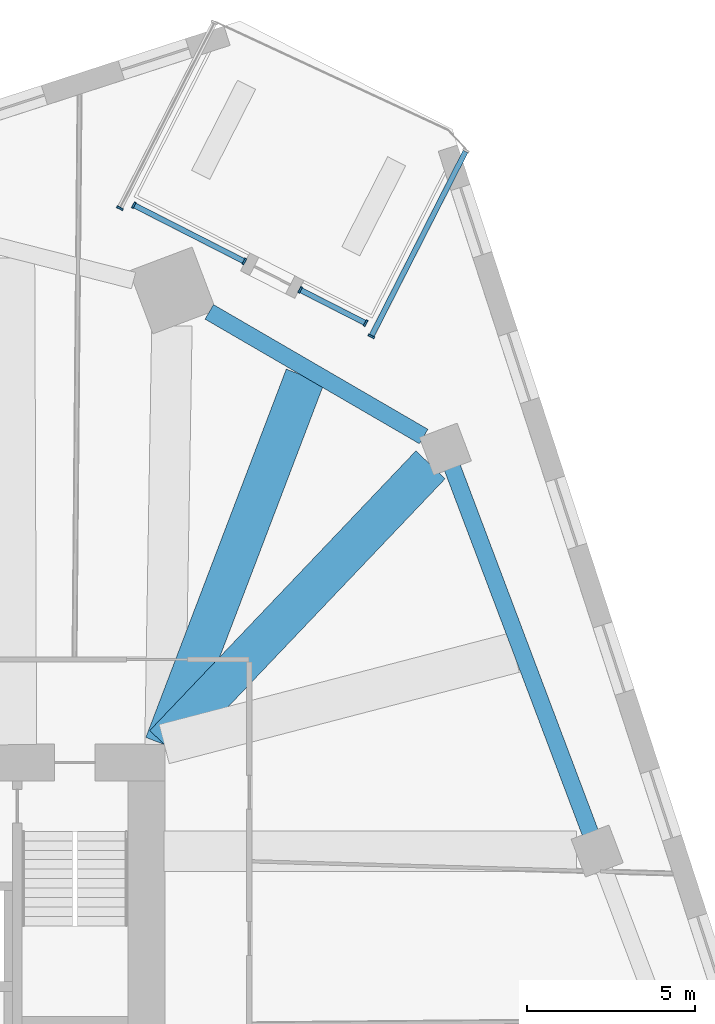
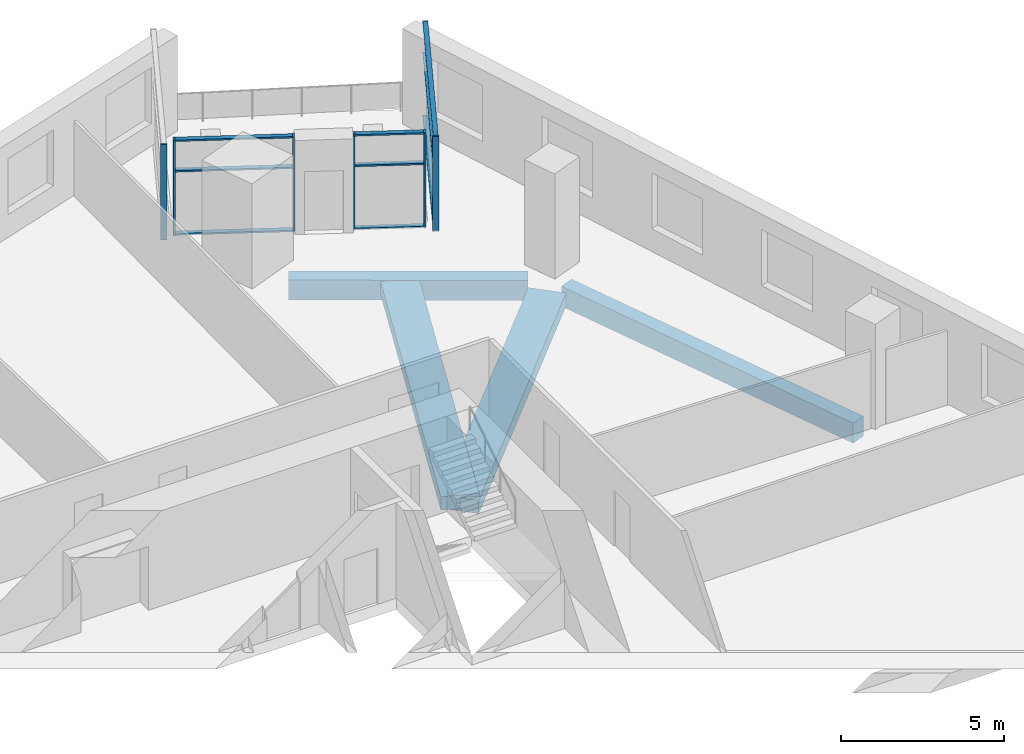
# One storey, part 2 of 12: 15 members, 4 beams, 4 elements without a shape of their own.
"""IFC4 building model written with IfcOpenShell, lengths in metres."""

from ifc_helpers import new_model, si_unit, direction, frame, origin, origin_2d, place, context, subcontext, project, spatial, rectangle, extrude, material, material_profile, profile_set, type_object, element, aggregate, save


model = new_model("IFC4")

# Units and contexts
model_context = context("Model", 3, precision=1e-05, world=origin(), true_north=direction((0.0, 1.0)))
body_context = subcontext(model_context, "Body", "Model", "MODEL_VIEW")
ifc_project = project(units=[si_unit("LENGTHUNIT", "METRE"), si_unit("AREAUNIT", "SQUARE_METRE"), si_unit("VOLUMEUNIT", "CUBIC_METRE"), si_unit("PLANEANGLEUNIT", "RADIAN"), si_unit("MASSUNIT", "GRAM", prefix="KILO")], contexts=[model_context])

# Site, building, storey
site_placement = place(None, origin())
site = spatial("IfcSite", under=ifc_project, at=site_placement, CompositionType="ELEMENT")
building_placement = place(site_placement, origin())
building = spatial("IfcBuilding", under=site, at=building_placement, Name="Dilmun Exchange Tower", CompositionType="ELEMENT")
storey_placement = place(building_placement, frame((0.0, 0.0, 90.10009765625)))
storey = spatial("IfcBuildingStorey", under=building, at=storey_placement, Name="L20", CompositionType="ELEMENT", Elevation=90.10009765625)

# Curtain wall, member
ifc_material_1 = material(Name="Anodised aluminium and clear glass", Category="aluminium")
curtain_wall_type = type_object("IfcCurtainWallType", Name="Garden corner glazing", PredefinedType="NOTDEFINED", material=ifc_material_1)
curtain_wall_1_placement = place(storey_placement, origin())
curtain_wall_1 = element("IfcCurtainWall", 1, at=curtain_wall_1_placement, inside=storey, type_object=curtain_wall_type, Name="Garden corner glazing run GC1.1", PredefinedType="NOTDEFINED")
ifc_material_2 = material(Name="Anodised aluminium", Category="aluminium")
ifc_material_profile_1 = material_profile(ifc_material_2, rectangle(XDim=0.199951171875, YDim=0.06005859375, at=origin_2d()), Name="AL 60x200")
ifc_profile_set_1 = profile_set([ifc_material_profile_1], Name="Anodised aluminium")
member_type_1 = type_object("IfcMemberType", Name="Garden corner glazing mullion 60 x 200", PredefinedType="MULLION", material=ifc_profile_set_1)
member_1_placement = place(storey_placement, frame((19.02392578125, 24.994140625, 0.0), z_axis=(0.0, 0.0, 1.0), x_axis=(0.891007485315, -0.453988613418, 0.0)))
member_1 = element("IfcMember", 2, at=member_1_placement, type_object=member_type_1, Name="GC1.1 mullion 2", PredefinedType="MULLION", context=body_context, shape_type="SweptSolid", body=[
    extrude(rectangle(XDim=0.199951171875, YDim=0.06005859375, at=origin_2d()), origin(), (0.0, 0.0, 1.0), 3.579833984375),
])

# Curtain wall, members
curtain_wall_2_placement = place(storey_placement, origin())
curtain_wall_2 = element("IfcCurtainWall", 3, at=curtain_wall_2_placement, inside=storey, type_object=curtain_wall_type, Name="Garden corner glazing run GC2.1", PredefinedType="NOTDEFINED")
member_2_placement = place(storey_placement, frame((18.8525390625, 25.384521484375, 0.0), z_axis=(0.0, 0.0, 1.0), x_axis=(-0.453971274184, -0.891016319837, 0.0)))
member_2 = element("IfcMember", 4, at=member_2_placement, type_object=member_type_1, Name="GC2.1 mullion 1", PredefinedType="MULLION", context=body_context, shape_type="SweptSolid", body=[
    extrude(rectangle(XDim=0.199951171875, YDim=0.06005859375, at=origin_2d()), origin(), (0.0, 0.0, 1.0), 3.579833984375),
])
member_3_placement = place(storey_placement, frame((16.910888671875, 26.373779296875, 0.0), z_axis=(0.0, 0.0, 1.0), x_axis=(-0.453971274184, -0.891016319837, 0.0)))
member_3 = element("IfcMember", 5, at=member_3_placement, type_object=member_type_1, Name="GC2.1 mullion 2", PredefinedType="MULLION", context=body_context, shape_type="SweptSolid", body=[
    extrude(rectangle(XDim=0.199951171875, YDim=0.06005859375, at=origin_2d()), origin(), (0.0, 0.0, 1.0), 3.579833984375),
])

curtain_wall_3_placement = place(storey_placement, origin())
curtain_wall_3 = element("IfcCurtainWall", 6, at=curtain_wall_3_placement, inside=storey, type_object=curtain_wall_type, Name="Garden corner glazing run GC2.3", PredefinedType="NOTDEFINED")
member_4_placement = place(storey_placement, frame((15.253662109375, 27.21826171875, 0.0), z_axis=(0.0, 0.0, 1.0), x_axis=(-0.453993889512, -0.891004797005, 0.0)))
member_4 = element("IfcMember", 7, at=member_4_placement, type_object=member_type_1, Name="GC2.3 mullion 1", PredefinedType="MULLION", context=body_context, shape_type="SweptSolid", body=[
    extrude(rectangle(XDim=0.199951171875, YDim=0.06005859375, at=origin_2d()), origin(), (0.0, 0.0, 1.0), 3.579833984375),
])
member_5_placement = place(storey_placement, frame((11.9755859375, 28.888671875, 0.0), z_axis=(0.0, 0.0, 1.0), x_axis=(-0.453993889512, -0.891004797005, 0.0)))
member_5 = element("IfcMember", 8, at=member_5_placement, type_object=member_type_1, Name="GC2.3 mullion 2", PredefinedType="MULLION", context=body_context, shape_type="SweptSolid", body=[
    extrude(rectangle(XDim=0.199951171875, YDim=0.06005859375, at=origin_2d()), origin(), (0.0, 0.0, 1.0), 3.579833984375),
])

# Curtain wall, member
curtain_wall_4_placement = place(storey_placement, origin())
curtain_wall_4 = element("IfcCurtainWall", 9, at=curtain_wall_4_placement, inside=storey, type_object=curtain_wall_type, Name="Garden corner glazing run GC3.1", PredefinedType="NOTDEFINED")
member_6_placement = place(storey_placement, frame((11.558837890625, 28.7978515625, 0.0), z_axis=(0.0, 0.0, 1.0), x_axis=(-0.891007485315, 0.453988613418, 0.0)))
member_6 = element("IfcMember", 10, at=member_6_placement, type_object=member_type_1, Name="GC3.1 mullion 1", PredefinedType="MULLION", context=body_context, shape_type="SweptSolid", body=[
    extrude(rectangle(XDim=0.199951171875, YDim=0.06005859375, at=origin_2d()), origin(), (0.0, 0.0, 1.0), 3.579833984375),
])
aggregate(curtain_wall_4, [member_6])

# Member
ifc_material_profile_2 = material_profile(ifc_material_2, rectangle(XDim=0.159912109375, YDim=0.06005859375, at=origin_2d()), Name="AL 60x160")
ifc_profile_set_2 = profile_set([ifc_material_profile_2], Name="Anodised aluminium")
member_type_2 = type_object("IfcMemberType", Name="Garden corner glazing transom 60 x 160", PredefinedType="USERDEFINED", material=ifc_profile_set_2)
member_7_placement = place(storey_placement, frame((21.81884765625, 30.479736328125, 0.02978515625), z_axis=(-0.453975328977, -0.891014253915, 0.0), x_axis=(0.891014253915, -0.453975328977, 0.0)))
member_7 = element("IfcMember", 11, at=member_7_placement, type_object=member_type_2, Name="GC1.1 transom 1.1", ObjectType="TRANSOM", PredefinedType="USERDEFINED", context=body_context, shape_type="SweptSolid", body=[
    extrude(rectangle(XDim=0.159912109375, YDim=0.06005859375, at=origin_2d()), origin(), (0.0, 0.0, 1.0), 6.12646484375),
])

member_8_placement = place(storey_placement, frame((21.81884765625, 30.479736328125, 2.39990234375), z_axis=(-0.453975328977, -0.891014253915, 0.0), x_axis=(0.891014253915, -0.453975328977, 0.0)))
member_8 = element("IfcMember", 12, at=member_8_placement, type_object=member_type_2, Name="GC1.1 transom 1.2", ObjectType="TRANSOM", PredefinedType="USERDEFINED", context=body_context, shape_type="SweptSolid", body=[
    extrude(rectangle(XDim=0.159912109375, YDim=0.06005859375, at=origin_2d()), origin(), (0.0, 0.0, 1.0), 6.12646484375),
])

member_9_placement = place(storey_placement, frame((21.81884765625, 30.479736328125, 3.5498046875), z_axis=(-0.453975328977, -0.891014253915, 0.0), x_axis=(0.891014253915, -0.453975328977, 0.0)))
member_9 = element("IfcMember", 13, at=member_9_placement, type_object=member_type_2, Name="GC1.1 transom 1.3", ObjectType="TRANSOM", PredefinedType="USERDEFINED", context=body_context, shape_type="SweptSolid", body=[
    extrude(rectangle(XDim=0.159912109375, YDim=0.06005859375, at=origin_2d()), origin(), (0.0, 0.0, 1.0), 6.12646484375),
])

aggregate(curtain_wall_1, [member_1, member_7, member_8, member_9])

member_10_placement = place(storey_placement, frame((18.82568359375, 25.398193359375, 0.02978515625), z_axis=(-0.890991137199, 0.454020697142, 0.0), x_axis=(-0.454020697142, -0.890991137199, 0.0)))
member_10 = element("IfcMember", 14, at=member_10_placement, type_object=member_type_2, Name="GC2.1 transom 1.1", ObjectType="TRANSOM", PredefinedType="USERDEFINED", context=body_context, shape_type="SweptSolid", body=[
    extrude(rectangle(XDim=0.159912109375, YDim=0.06005859375, at=origin_2d()), origin(), (0.0, 0.0, 1.0), 2.119140625),
])

member_11_placement = place(storey_placement, frame((18.82568359375, 25.398193359375, 2.39990234375), z_axis=(-0.890991137199, 0.454020697142, 0.0), x_axis=(-0.454020697142, -0.890991137199, 0.0)))
member_11 = element("IfcMember", 15, at=member_11_placement, type_object=member_type_2, Name="GC2.1 transom 1.2", ObjectType="TRANSOM", PredefinedType="USERDEFINED", context=body_context, shape_type="SweptSolid", body=[
    extrude(rectangle(XDim=0.159912109375, YDim=0.06005859375, at=origin_2d()), origin(), (0.0, 0.0, 1.0), 2.119140625),
])

member_12_placement = place(storey_placement, frame((18.82568359375, 25.398193359375, 3.5498046875), z_axis=(-0.890991137199, 0.454020697142, 0.0), x_axis=(-0.454020697142, -0.890991137199, 0.0)))
member_12 = element("IfcMember", 16, at=member_12_placement, type_object=member_type_2, Name="GC2.1 transom 1.3", ObjectType="TRANSOM", PredefinedType="USERDEFINED", context=body_context, shape_type="SweptSolid", body=[
    extrude(rectangle(XDim=0.159912109375, YDim=0.06005859375, at=origin_2d()), origin(), (0.0, 0.0, 1.0), 2.119140625),
])

aggregate(curtain_wall_2, [member_2, member_3, member_10, member_11, member_12])

member_13_placement = place(storey_placement, frame((15.226806640625, 27.23193359375, 0.02978515625), z_axis=(-0.891001397756, 0.454000560789, 0.0), x_axis=(-0.454000560789, -0.891001397756, 0.0)))
member_13 = element("IfcMember", 17, at=member_13_placement, type_object=member_type_2, Name="GC2.3 transom 1.1", ObjectType="TRANSOM", PredefinedType="USERDEFINED", context=body_context, shape_type="SweptSolid", body=[
    extrude(rectangle(XDim=0.159912109375, YDim=0.06005859375, at=origin_2d()), origin(), (0.0, 0.0, 1.0), 3.619140625),
])

member_14_placement = place(storey_placement, frame((15.226806640625, 27.23193359375, 2.39990234375), z_axis=(-0.891001397756, 0.454000560789, 0.0), x_axis=(-0.454000560789, -0.891001397756, 0.0)))
member_14 = element("IfcMember", 18, at=member_14_placement, type_object=member_type_2, Name="GC2.3 transom 1.2", ObjectType="TRANSOM", PredefinedType="USERDEFINED", context=body_context, shape_type="SweptSolid", body=[
    extrude(rectangle(XDim=0.159912109375, YDim=0.06005859375, at=origin_2d()), origin(), (0.0, 0.0, 1.0), 3.619140625),
])

member_15_placement = place(storey_placement, frame((15.226806640625, 27.23193359375, 3.5498046875), z_axis=(-0.891001397756, 0.454000560789, 0.0), x_axis=(-0.454000560789, -0.891001397756, 0.0)))
member_15 = element("IfcMember", 19, at=member_15_placement, type_object=member_type_2, Name="GC2.3 transom 1.3", ObjectType="TRANSOM", PredefinedType="USERDEFINED", context=body_context, shape_type="SweptSolid", body=[
    extrude(rectangle(XDim=0.159912109375, YDim=0.06005859375, at=origin_2d()), origin(), (0.0, 0.0, 1.0), 3.619140625),
])

aggregate(curtain_wall_3, [member_4, member_5, member_13, member_14, member_15])

# Beams
ifc_material_3 = material(Name="Concrete C40/50", Category="concrete")
ifc_material_profile_3 = material_profile(ifc_material_3, rectangle(XDim=1.199951171875, YDim=0.5, at=origin_2d()), Name="1200 x 500")
ifc_profile_set_3 = profile_set([ifc_material_profile_3], Name="Concrete C40/50")
beam_type_1 = type_object("IfcBeamType", Name="RC band beam 1200 x 500 C40/50", PredefinedType="BEAM", material=ifc_profile_set_3)
beam_1_placement = place(storey_placement, frame((20.780517578125, 21.181884765625, -0.77001953125), z_axis=(-0.689333244672, -0.724444392476, 0.0), x_axis=(0.724444392476, -0.689333244672, 0.0)))
element("IfcBeam", 20, at=beam_1_placement, inside=storey, type_object=beam_type_1, Name="Band beam 16", PredefinedType="BEAM", context=body_context, shape_type="SweptSolid", body=[
    extrude(rectangle(XDim=1.199951171875, YDim=0.5, at=origin_2d()), origin(), (0.0, 0.0, 1.0), 11.459228515625),
])
beam_2_placement = place(storey_placement, frame((17.059326171875, 23.806640625, -0.670166015625), z_axis=(-0.356325045493, -0.934362061491, 0.0), x_axis=(0.934362061491, -0.356325045493, 0.0)))
element("IfcBeam", 21, at=beam_2_placement, inside=storey, type_object=beam_type_1, Name="Band beam 32", PredefinedType="BEAM", context=body_context, shape_type="SweptSolid", body=[
    extrude(rectangle(XDim=1.199951171875, YDim=0.5, at=origin_2d()), origin(), (0.0, 0.0, 1.0), 11.699951171875),
])
ifc_material_profile_4 = material_profile(ifc_material_3, rectangle(XDim=0.5, YDim=0.75, at=origin_2d()), Name="500 x 750")
ifc_profile_set_4 = profile_set([ifc_material_profile_4], Name="Concrete C40/50")
beam_type_2 = type_object("IfcBeamType", Name="RC ring beam 500 x 750 C40/50", PredefinedType="SPANDREL", material=ifc_profile_set_4)
beam_3_placement = place(storey_placement, frame((25.5234375, 10.2529296875, -0.795166015625), z_axis=(-0.353303601311, 0.935508720056, 0.0), x_axis=(-0.935508720056, -0.353303601311, 0.0)))
element("IfcBeam", 22, at=beam_3_placement, inside=storey, type_object=beam_type_2, Name="Ring beam 15", PredefinedType="SPANDREL", context=body_context, shape_type="SweptSolid", body=[
    extrude(rectangle(XDim=0.5, YDim=0.75, at=origin_2d()), origin(), (0.0, 0.0, 1.0), 11.604248046875),
])
beam_4_placement = place(storey_placement, frame((20.57568359375, 22.020263671875, -0.795166015625), z_axis=(-0.864503499359, 0.50262679952, 0.0), x_axis=(-0.50262679952, -0.864503499359, 0.0)))
element("IfcBeam", 23, at=beam_4_placement, inside=storey, type_object=beam_type_2, Name="Ring beam 16", PredefinedType="SPANDREL", context=body_context, shape_type="SweptSolid", body=[
    extrude(rectangle(XDim=0.5, YDim=0.75, at=origin_2d()), origin(), (0.0, 0.0, 1.0), 7.35986328125),
])

save(model, "model.ifc")
